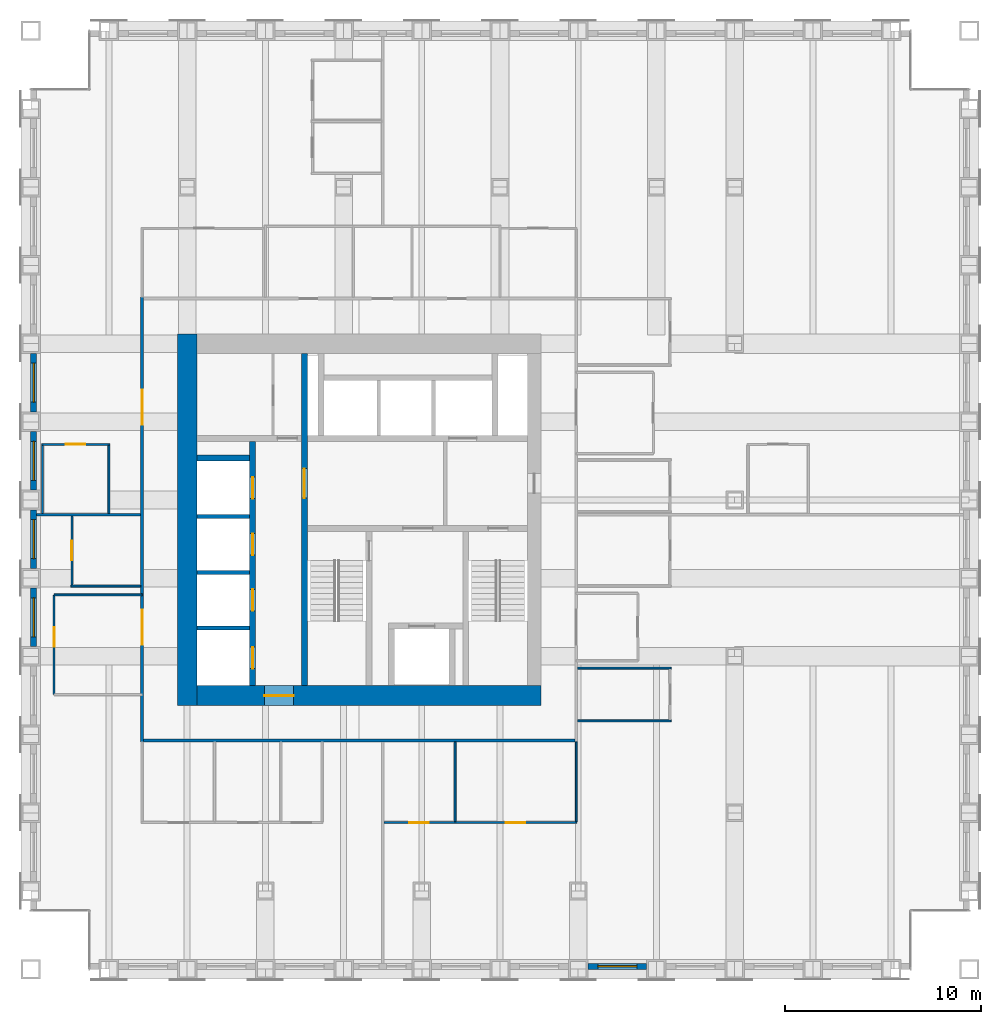
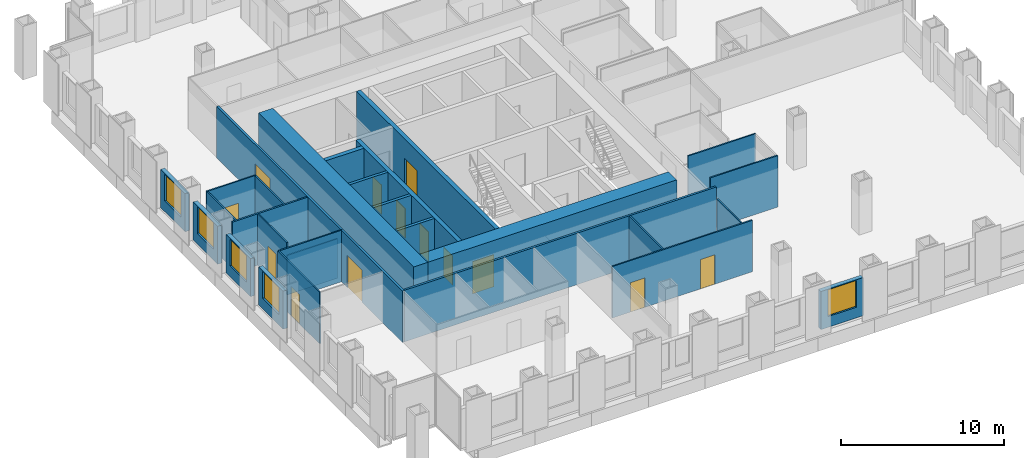
# One storey, part 11 of 16: 28 walls, 13 doors, 5 windows, 18 openings.
"""IFC4 building model written with IfcOpenShell, lengths in metres."""

from ifc_helpers import new_model, si_unit, direction, frame, frame_2d, origin, place, context, subcontext, project, spatial, rectangle, extrude, material, layer, layer_set, type_object, element, fill, save


model = new_model("IFC4")

# Units and contexts
model_context = context("Model", 3, precision=1e-05, world=origin(), true_north=direction((0.0, 1.0)))
body_context = subcontext(model_context, "Body", "Model", "MODEL_VIEW")
ifc_project = project(units=[si_unit("LENGTHUNIT", "METRE"), si_unit("AREAUNIT", "SQUARE_METRE"), si_unit("VOLUMEUNIT", "CUBIC_METRE"), si_unit("PLANEANGLEUNIT", "RADIAN"), si_unit("MASSUNIT", "GRAM", prefix="KILO")], contexts=[model_context])

# Site, building, storey
site_placement = place(None, origin())
site = spatial("IfcSite", under=ifc_project, at=site_placement, CompositionType="ELEMENT")
building_placement = place(site_placement, origin())
building = spatial("IfcBuilding", under=site, at=building_placement, Name="Rimbunsela Tower", CompositionType="ELEMENT")
storey_placement = place(building_placement, frame((0.0, 0.0, 125.39990234375)))
storey = spatial("IfcBuildingStorey", under=building, at=storey_placement, Name="L30", CompositionType="ELEMENT", Elevation=125.39990234375)

# Wall, opening, door
ifc_material_1 = material(Name="Concrete fc' 80 MPa", Category="concrete")
ifc_layer_1 = layer(ifc_material_1, 0.300048828125)
ifc_layer_set_1 = layer_set([ifc_layer_1], Name="Core internal wall 300")
wall_type_1 = type_object("IfcWallType", Name="Core internal wall 300", PredefinedType="SHEAR", material=ifc_layer_set_1)
wall_1_placement = place(storey_placement, frame((24.0, 18.5, -0.14990234375), z_axis=(0.0, 0.0, 1.0), x_axis=(0.0, 1.0, 0.0)))
wall_1 = element("IfcWall", 1, at=wall_1_placement, inside=storey, type_object=wall_type_1, Name="Core wall at stair A", PredefinedType="SHEAR", context=body_context, shape_type="SweptSolid", body=[
    extrude(rectangle(XDim=17.0, YDim=0.300048828125, at=frame_2d((8.5, 0.0))), origin(), (0.0, 0.0, 1.0), 4.0),
])
opening_1_placement = place(wall_1_placement, frame((9.60009765625, 0.0, 0.14990234375)))
opening_1 = element("IfcOpeningElement", 2, at=opening_1_placement, cuts=wall_1, Name="Opening D03", PredefinedType="OPENING", context=body_context, shape_type="SweptSolid", body=[
    extrude(rectangle(XDim=1.5, YDim=2.39990234375, at=frame_2d((0.75, 1.199951171875))), frame((0.0, 0.159912109375, 0.0), z_axis=(0.0, -1.0, 0.0), x_axis=(1.0, 0.0, 0.0)), (0.0, 0.0, 1.0), 0.320068359375),
])
ifc_material_2 = material(Name="Steel door, fire rated", Category="steel")
door_type_1 = type_object("IfcDoorType", Name="Core lobby door 1500", OperationType="DOUBLE_DOOR_DOUBLE_SWING", PredefinedType="DOOR", material=ifc_material_2)
door_1_placement = place(opening_1_placement, origin())
door_1 = element("IfcDoor", 3, at=door_1_placement, inside=storey, type_object=door_type_1, Name="West lobby door", OperationType="DOUBLE_DOOR_DOUBLE_SWING", OverallHeight=2.39990234375, OverallWidth=1.5, PredefinedType="DOOR", context=body_context, shape_type="SweptSolid", body=[
    extrude(rectangle(XDim=1.5, YDim=2.39990234375, at=frame_2d((0.75, 1.199951171875))), frame((0.0, 0.02490234375, 0.0), z_axis=(0.0, -1.0, 0.0), x_axis=(1.0, 0.0, 0.0)), (0.0, 0.0, 1.0), 0.050048828125),
])
fill(opening_1, door_1)

# Wall, openings, doors
wall_2_placement = place(storey_placement, frame((21.35009765625, 18.5, -0.14990234375), z_axis=(0.0, 0.0, 1.0), x_axis=(0.0, 1.0, 0.0)))
wall_2 = element("IfcWall", 4, at=wall_2_placement, inside=storey, type_object=wall_type_1, Name="Lift shaft front west", PredefinedType="SHEAR", context=body_context, shape_type="SweptSolid", body=[
    extrude(rectangle(XDim=12.5, YDim=0.300048828125, at=frame_2d((6.25, 0.0))), origin(), (0.0, 0.0, 1.0), 4.0),
])
opening_2_placement = place(wall_2_placement, frame((0.875, 0.0, 0.14990234375)))
opening_2 = element("IfcOpeningElement", 5, at=opening_2_placement, cuts=wall_2, Name="Opening LD1", PredefinedType="OPENING", context=body_context, shape_type="SweptSolid", body=[
    extrude(rectangle(XDim=1.10009765625, YDim=2.199951171875, at=frame_2d((0.550048828125, 1.10009765625))), frame((0.0, 0.159912109375, 0.0), z_axis=(0.0, -1.0, 0.0), x_axis=(1.0, 0.0, 0.0)), (0.0, 0.0, 1.0), 0.320068359375),
])
opening_3_placement = place(wall_2_placement, frame((3.824951171875, 0.0, 0.14990234375)))
opening_3 = element("IfcOpeningElement", 6, at=opening_3_placement, cuts=wall_2, Name="Opening LD1", PredefinedType="OPENING", context=body_context, shape_type="SweptSolid", body=[
    extrude(rectangle(XDim=1.10009765625, YDim=2.199951171875, at=frame_2d((0.550048828125, 1.10009765625))), frame((0.0, 0.159912109375, 0.0), z_axis=(0.0, -1.0, 0.0), x_axis=(1.0, 0.0, 0.0)), (0.0, 0.0, 1.0), 0.320068359375),
])
opening_4_placement = place(wall_2_placement, frame((6.675048828125, 0.0, 0.14990234375)))
opening_4 = element("IfcOpeningElement", 7, at=opening_4_placement, cuts=wall_2, Name="Opening LD1", PredefinedType="OPENING", context=body_context, shape_type="SweptSolid", body=[
    extrude(rectangle(XDim=1.10009765625, YDim=2.199951171875, at=frame_2d((0.550048828125, 1.10009765625))), frame((0.0, 0.159912109375, 0.0), z_axis=(0.0, -1.0, 0.0), x_axis=(1.0, 0.0, 0.0)), (0.0, 0.0, 1.0), 0.320068359375),
])
opening_5_placement = place(wall_2_placement, frame((9.574951171875, 0.0, 0.14990234375)))
opening_5 = element("IfcOpeningElement", 8, at=opening_5_placement, cuts=wall_2, Name="Opening LD1", PredefinedType="OPENING", context=body_context, shape_type="SweptSolid", body=[
    extrude(rectangle(XDim=1.10009765625, YDim=2.199951171875, at=frame_2d((0.550048828125, 1.10009765625))), frame((0.0, 0.159912109375, 0.0), z_axis=(0.0, -1.0, 0.0), x_axis=(1.0, 0.0, 0.0)), (0.0, 0.0, 1.0), 0.320068359375),
])
ifc_material_3 = material(Name="Steel door, fire rated", Category="steel")
door_type_2 = type_object("IfcDoorType", Name="Lift landing door 1100", OperationType="DOUBLE_DOOR_SLIDING", PredefinedType="DOOR", material=ifc_material_3)
door_2_placement = place(opening_2_placement, origin())
door_2 = element("IfcDoor", 9, at=door_2_placement, inside=storey, type_object=door_type_2, Name="Lift landing door ML1", OperationType="DOUBLE_DOOR_SLIDING", OverallHeight=2.199951171875, OverallWidth=1.10009765625, PredefinedType="DOOR", context=body_context, shape_type="SweptSolid", body=[
    extrude(rectangle(XDim=1.10009765625, YDim=2.199951171875, at=frame_2d((0.550048828125, 1.10009765625))), frame((0.0, 0.02490234375, 0.0), z_axis=(0.0, -1.0, 0.0), x_axis=(1.0, 0.0, 0.0)), (0.0, 0.0, 1.0), 0.050048828125),
])
fill(opening_2, door_2)
door_3_placement = place(opening_3_placement, origin())
door_3 = element("IfcDoor", 10, at=door_3_placement, inside=storey, type_object=door_type_2, Name="Lift landing door ML2", OperationType="DOUBLE_DOOR_SLIDING", OverallHeight=2.199951171875, OverallWidth=1.10009765625, PredefinedType="DOOR", context=body_context, shape_type="SweptSolid", body=[
    extrude(rectangle(XDim=1.10009765625, YDim=2.199951171875, at=frame_2d((0.550048828125, 1.10009765625))), frame((0.0, 0.02490234375, 0.0), z_axis=(0.0, -1.0, 0.0), x_axis=(1.0, 0.0, 0.0)), (0.0, 0.0, 1.0), 0.050048828125),
])
fill(opening_3, door_3)
door_4_placement = place(opening_4_placement, origin())
door_4 = element("IfcDoor", 11, at=door_4_placement, inside=storey, type_object=door_type_2, Name="Lift landing door ML3", OperationType="DOUBLE_DOOR_SLIDING", OverallHeight=2.199951171875, OverallWidth=1.10009765625, PredefinedType="DOOR", context=body_context, shape_type="SweptSolid", body=[
    extrude(rectangle(XDim=1.10009765625, YDim=2.199951171875, at=frame_2d((0.550048828125, 1.10009765625))), frame((0.0, 0.02490234375, 0.0), z_axis=(0.0, -1.0, 0.0), x_axis=(1.0, 0.0, 0.0)), (0.0, 0.0, 1.0), 0.050048828125),
])
fill(opening_4, door_4)
door_5_placement = place(opening_5_placement, origin())
door_5 = element("IfcDoor", 12, at=door_5_placement, inside=storey, type_object=door_type_2, Name="Lift landing door ML4", OperationType="DOUBLE_DOOR_SLIDING", OverallHeight=2.199951171875, OverallWidth=1.10009765625, PredefinedType="DOOR", context=body_context, shape_type="SweptSolid", body=[
    extrude(rectangle(XDim=1.10009765625, YDim=2.199951171875, at=frame_2d((0.550048828125, 1.10009765625))), frame((0.0, 0.02490234375, 0.0), z_axis=(0.0, -1.0, 0.0), x_axis=(1.0, 0.0, 0.0)), (0.0, 0.0, 1.0), 0.050048828125),
])
fill(opening_5, door_5)

# Walls
wall_3_placement = place(storey_placement, frame((18.5, 30.14990234375, -0.14990234375), z_axis=(0.0, 0.0, 1.0), x_axis=(1.0, 0.0, 0.0)))
element("IfcWall", 13, at=wall_3_placement, inside=storey, type_object=wall_type_1, Name="Lift shaft rear west", PredefinedType="SHEAR", context=body_context, shape_type="SweptSolid", body=[
    extrude(rectangle(XDim=2.699951171875, YDim=0.300048828125, at=frame_2d((1.35009765625, 0.0))), origin(), (0.0, 0.0, 1.0), 4.0),
])
ifc_material_4 = material(Name="Concrete fc' 80 MPa", Category="concrete")
ifc_layer_2 = layer(ifc_material_4, 1.0)
ifc_layer_set_2 = layer_set([ifc_layer_2], Name="Core wall 1000")
wall_type_2 = type_object("IfcWallType", Name="Core wall 1000", PredefinedType="SHEAR", material=ifc_layer_set_2)
wall_4_placement = place(storey_placement, frame((18.0, 17.5, -0.14990234375), z_axis=(0.0, 0.0, 1.0), x_axis=(0.0, 1.0, 0.0)))
element("IfcWall", 14, at=wall_4_placement, inside=storey, type_object=wall_type_2, Name="Core wall west", PredefinedType="SHEAR", context=body_context, shape_type="SweptSolid", body=[
    extrude(rectangle(XDim=19.0, YDim=1.0, at=frame_2d((9.5, 0.0))), origin(), (0.0, 0.0, 1.0), 4.0),
])

# Wall, opening, door
wall_5_placement = place(storey_placement, frame((18.5, 18.0, -0.14990234375), z_axis=(0.0, 0.0, 1.0), x_axis=(1.0, 0.0, 0.0)))
wall_5 = element("IfcWall", 15, at=wall_5_placement, inside=storey, type_object=wall_type_2, Name="Core wall south", PredefinedType="SHEAR", context=body_context, shape_type="SweptSolid", body=[
    extrude(rectangle(XDim=17.60009765625, YDim=1.0, at=frame_2d((8.800048828125, 0.0))), origin(), (0.0, 0.0, 1.0), 4.0),
])
opening_6_placement = place(wall_5_placement, frame((3.449951171875, 0.0, 0.14990234375)))
opening_6 = element("IfcOpeningElement", 16, at=opening_6_placement, cuts=wall_5, Name="Opening D03", PredefinedType="OPENING", context=body_context, shape_type="SweptSolid", body=[
    extrude(rectangle(XDim=1.5, YDim=2.39990234375, at=frame_2d((0.75, 1.199951171875))), frame((0.0, 0.510009765625, 0.0), z_axis=(0.0, -1.0, 0.0), x_axis=(1.0, 0.0, 0.0)), (0.0, 0.0, 1.0), 1.02001953125),
])
door_6_placement = place(opening_6_placement, origin())
door_6 = element("IfcDoor", 17, at=door_6_placement, inside=storey, type_object=door_type_1, Name="Core door south", OperationType="DOUBLE_DOOR_DOUBLE_SWING", OverallHeight=2.39990234375, OverallWidth=1.5, PredefinedType="DOOR", context=body_context, shape_type="SweptSolid", body=[
    extrude(rectangle(XDim=1.5, YDim=2.39990234375, at=frame_2d((0.75, 1.199951171875))), frame((0.0, 0.02490234375, 0.0), z_axis=(0.0, -1.0, 0.0), x_axis=(1.0, 0.0, 0.0)), (0.0, 0.0, 1.0), 0.050048828125),
])
fill(opening_6, door_6)

# Walls
ifc_material_5 = material(Name="Concrete blockwork", Category="masonry")
ifc_layer_3 = layer(ifc_material_5, 0.199951171875)
ifc_layer_set_3 = layer_set([ifc_layer_3], Name="Lift shaft wall 200")
wall_type_3 = type_object("IfcWallType", Name="Lift shaft wall 200", PredefinedType="SOLIDWALL", material=ifc_layer_set_3)
for number, where, z_axis, x_axis, name in (
    (18, (18.5, 21.449951171875, -0.14990234375), (0.0, 0.0, 1.0), (1.0, 0.0, 0.0), "Lift shaft separation"),
    (19, (18.5, 24.300048828125, -0.14990234375), (0.0, 0.0, 1.0), (1.0, 0.0, 0.0), "Lift shaft separation"),
    (20, (18.5, 27.14990234375, -0.14990234375), (0.0, 0.0, 1.0), (1.0, 0.0, 0.0), "Lift shaft separation"),
):
    element("IfcWall", number, at=place(storey_placement, frame(where, z_axis=z_axis, x_axis=x_axis)), inside=storey, type_object=wall_type_3, Name=name, PredefinedType="SOLIDWALL", context=body_context, shape_type="SweptSolid", body=[
        extrude(rectangle(XDim=2.699951171875, YDim=0.199951171875, at=frame_2d((1.35009765625, 0.0))), origin(), (0.0, 0.0, 1.0), 4.0),
    ])

# Wall, openings, doors
ifc_material_6 = material(Name="Gypsum board on steel studs", Category="steel")
ifc_layer_4 = layer(ifc_material_6, 0.10009765625)
ifc_layer_set_4 = layer_set([ifc_layer_4], Name="Office partition 100")
wall_type_4 = type_object("IfcWallType", Name="Office partition 100", PredefinedType="PARTITIONING", material=ifc_layer_set_4)
wall_6_placement = place(storey_placement, frame((28.06103515625, 11.5, 0.0), z_axis=(0.0, 0.0, 1.0), x_axis=(1.0, 0.0, 0.0)))
wall_6 = element("IfcWall", 21, at=wall_6_placement, inside=storey, type_object=wall_type_4, Name="Office partition", PredefinedType="PARTITIONING", context=body_context, shape_type="SweptSolid", body=[
    extrude(rectangle(XDim=9.888916015625, YDim=0.10009765625, at=frame_2d((4.9443359375, 0.0))), origin(), (0.0, 0.0, 1.0), 3.85009765625),
])
opening_7_placement = place(wall_6_placement, frame((1.2900390625, 0.0, 0.0)))
opening_7 = element("IfcOpeningElement", 22, at=opening_7_placement, cuts=wall_6, Name="Opening D17", PredefinedType="OPENING", context=body_context, shape_type="SweptSolid", body=[
    extrude(rectangle(XDim=1.0, YDim=2.199951171875, at=frame_2d((0.5, 1.10009765625))), frame((0.0, 0.06005859375, 0.0), z_axis=(0.0, -1.0, 0.0), x_axis=(1.0, 0.0, 0.0)), (0.0, 0.0, 1.0), 0.1201171875),
])
opening_8_placement = place(wall_6_placement, frame((6.239501953125, 0.0, 0.0)))
opening_8 = element("IfcOpeningElement", 23, at=opening_8_placement, cuts=wall_6, Name="Opening D16", PredefinedType="OPENING", context=body_context, shape_type="SweptSolid", body=[
    extrude(rectangle(XDim=1.0, YDim=2.199951171875, at=frame_2d((0.5, 1.10009765625))), frame((0.0, 0.06005859375, 0.0), z_axis=(0.0, -1.0, 0.0), x_axis=(1.0, 0.0, 0.0)), (0.0, 0.0, 1.0), 0.1201171875),
])
ifc_material_7 = material(Name="Glazed aluminium door", Category="aluminium")
door_type_3 = type_object("IfcDoorType", Name="Meeting room door 1000 glazed", OperationType="SINGLE_SWING_RIGHT", PredefinedType="DOOR", material=ifc_material_7)
door_7_placement = place(opening_7_placement, origin())
door_7 = element("IfcDoor", 24, at=door_7_placement, inside=storey, type_object=door_type_3, Name="Meeting room door", OperationType="SINGLE_SWING_RIGHT", OverallHeight=2.199951171875, OverallWidth=1.0, PredefinedType="DOOR", context=body_context, shape_type="SweptSolid", body=[
    extrude(rectangle(XDim=1.0, YDim=2.199951171875, at=frame_2d((0.5, 1.10009765625))), frame((0.0, 0.02490234375, 0.0), z_axis=(0.0, -1.0, 0.0), x_axis=(1.0, 0.0, 0.0)), (0.0, 0.0, 1.0), 0.050048828125),
])
fill(opening_7, door_7)
ifc_material_8 = material(Name="Timber door", Category="wood")
door_type_4 = type_object("IfcDoorType", Name="Office door 1000", OperationType="SINGLE_SWING_LEFT", PredefinedType="DOOR", material=ifc_material_8)
door_8_placement = place(opening_8_placement, origin())
door_8 = element("IfcDoor", 25, at=door_8_placement, inside=storey, type_object=door_type_4, Name="Office door", OperationType="SINGLE_SWING_LEFT", OverallHeight=2.199951171875, OverallWidth=1.0, PredefinedType="DOOR", context=body_context, shape_type="SweptSolid", body=[
    extrude(rectangle(XDim=1.0, YDim=2.199951171875, at=frame_2d((0.5, 1.10009765625))), frame((0.0, 0.02490234375, 0.0), z_axis=(0.0, -1.0, 0.0), x_axis=(1.0, 0.0, 0.0)), (0.0, 0.0, 1.0), 0.050048828125),
])
fill(opening_8, door_8)

# Walls
for number, where, z_axis, x_axis, name in (
    (26, (37.97509765625, 16.699951171875, 0.0), (0.0, 0.0, 1.0), (1.0, 0.0, 0.0), "Office partition"),
    (27, (37.97509765625, 19.39892578125, 0.0), (0.0, 0.0, 1.0), (1.0, 0.0, 0.0), "Office partition"),
):
    element("IfcWall", number, at=place(storey_placement, frame(where, z_axis=z_axis, x_axis=x_axis)), inside=storey, type_object=wall_type_4, Name=name, PredefinedType="PARTITIONING", context=body_context, shape_type="SweptSolid", body=[
        extrude(rectangle(XDim=4.77490234375, YDim=0.10009765625, at=frame_2d((2.387451171875, 0.0))), origin(), (0.0, 0.0, 1.0), 3.85009765625),
    ])
wall_7_placement = place(storey_placement, frame((12.050048828125, 23.59912109375, 0.0), z_axis=(0.0, 0.0, 1.0), x_axis=(1.0, 0.0, 0.0)))
element("IfcWall", 28, at=wall_7_placement, inside=storey, type_object=wall_type_4, Name="Office partition", PredefinedType="PARTITIONING", context=body_context, shape_type="SweptSolid", body=[
    extrude(rectangle(XDim=3.574951171875, YDim=0.10009765625, at=frame_2d((1.78759765625, 0.0))), origin(), (0.0, 0.0, 1.0), 2.9501953125),
])

# Wall, opening, door
wall_8_placement = place(storey_placement, frame((10.550048828125, 30.85009765625, 0.0), z_axis=(0.0, 0.0, 1.0), x_axis=(1.0, 0.0, 0.0)))
wall_8 = element("IfcWall", 29, at=wall_8_placement, inside=storey, type_object=wall_type_4, Name="Office partition", PredefinedType="PARTITIONING", context=body_context, shape_type="SweptSolid", body=[
    extrude(rectangle(XDim=3.5, YDim=0.10009765625, at=frame_2d((1.75, 0.0))), origin(), (0.0, 0.0, 1.0), 3.85009765625),
])
opening_9_placement = place(wall_8_placement, frame((1.25, 0.0, 0.0)))
opening_9 = element("IfcOpeningElement", 30, at=opening_9_placement, cuts=wall_8, Name="Opening D16", PredefinedType="OPENING", context=body_context, shape_type="SweptSolid", body=[
    extrude(rectangle(XDim=1.0, YDim=2.199951171875, at=frame_2d((0.5, 1.10009765625))), frame((0.0, 0.06005859375, 0.0), z_axis=(0.0, -1.0, 0.0), x_axis=(1.0, 0.0, 0.0)), (0.0, 0.0, 1.0), 0.1201171875),
])
door_9_placement = place(opening_9_placement, origin())
door_9 = element("IfcDoor", 31, at=door_9_placement, inside=storey, type_object=door_type_4, Name="Office door", OperationType="SINGLE_SWING_LEFT", OverallHeight=2.199951171875, OverallWidth=1.0, PredefinedType="DOOR", context=body_context, shape_type="SweptSolid", body=[
    extrude(rectangle(XDim=1.0, YDim=2.199951171875, at=frame_2d((0.5, 1.10009765625))), frame((0.0, 0.02490234375, 0.0), z_axis=(0.0, -1.0, 0.0), x_axis=(1.0, 0.0, 0.0)), (0.0, 0.0, 1.0), 0.050048828125),
])
fill(opening_9, door_9)

# Wall
wall_9_placement = place(storey_placement, frame((10.60009765625, 27.31005859375, 0.0), z_axis=(0.0, 0.0, 1.0), x_axis=(0.0, 1.0, 0.0)))
element("IfcWall", 32, at=wall_9_placement, inside=storey, type_object=wall_type_4, Name="Office partition", PredefinedType="PARTITIONING", context=body_context, shape_type="SweptSolid", body=[
    extrude(rectangle(XDim=3.489990234375, YDim=0.10009765625, at=frame_2d((1.7451171875, 0.0))), origin(), (0.0, 0.0, 1.0), 3.85009765625),
])

# Wall, opening, door
wall_10_placement = place(storey_placement, frame((12.10009765625, 23.64892578125, 0.0), z_axis=(0.0, 0.0, 1.0), x_axis=(0.0, 1.0, 0.0)))
wall_10 = element("IfcWall", 33, at=wall_10_placement, inside=storey, type_object=wall_type_4, Name="Office partition", PredefinedType="PARTITIONING", context=body_context, shape_type="SweptSolid", body=[
    extrude(rectangle(XDim=3.5400390625, YDim=0.10009765625, at=frame_2d((1.77001953125, 0.0))), origin(), (0.0, 0.0, 1.0), 3.85009765625),
])
opening_10_placement = place(wall_10_placement, frame((1.27490234375, 0.0, 0.0)))
opening_10 = element("IfcOpeningElement", 34, at=opening_10_placement, cuts=wall_10, Name="Opening D16", PredefinedType="OPENING", context=body_context, shape_type="SweptSolid", body=[
    extrude(rectangle(XDim=1.0, YDim=2.199951171875, at=frame_2d((0.5, 1.10009765625))), frame((0.0, 0.06005859375, 0.0), z_axis=(0.0, -1.0, 0.0), x_axis=(1.0, 0.0, 0.0)), (0.0, 0.0, 1.0), 0.1201171875),
])
door_10_placement = place(opening_10_placement, origin())
door_10 = element("IfcDoor", 35, at=door_10_placement, inside=storey, type_object=door_type_4, Name="Office door", OperationType="SINGLE_SWING_LEFT", OverallHeight=2.199951171875, OverallWidth=1.0, PredefinedType="DOOR", context=body_context, shape_type="SweptSolid", body=[
    extrude(rectangle(XDim=1.0, YDim=2.199951171875, at=frame_2d((0.5, 1.10009765625))), frame((0.0, 0.02490234375, 0.0), z_axis=(0.0, -1.0, 0.0), x_axis=(1.0, 0.0, 0.0)), (0.0, 0.0, 1.0), 0.050048828125),
])
fill(opening_10, door_10)

# Walls
wall_11_placement = place(storey_placement, frame((14.0, 27.31005859375, 0.0), z_axis=(0.0, 0.0, 1.0), x_axis=(0.0, 1.0, 0.0)))
element("IfcWall", 36, at=wall_11_placement, inside=storey, type_object=wall_type_4, Name="Office partition", PredefinedType="PARTITIONING", context=body_context, shape_type="SweptSolid", body=[
    extrude(rectangle(XDim=3.489990234375, YDim=0.10009765625, at=frame_2d((1.7451171875, 0.0))), origin(), (0.0, 0.0, 1.0), 3.85009765625),
])
wall_12_placement = place(storey_placement, frame((31.700927734375, 11.550048828125, 0.0), z_axis=(0.0, 0.0, 1.0), x_axis=(0.0, 1.0, 0.0)))
element("IfcWall", 37, at=wall_12_placement, inside=storey, type_object=wall_type_4, Name="Office partition", PredefinedType="PARTITIONING", context=body_context, shape_type="SweptSolid", body=[
    extrude(rectangle(XDim=4.074951171875, YDim=0.10009765625, at=frame_2d((2.03759765625, 0.0))), origin(), (0.0, 0.0, 1.0), 3.85009765625),
])
wall_13_placement = place(storey_placement, frame((37.89990234375, 11.550048828125, 0.0), z_axis=(0.0, 0.0, 1.0), x_axis=(0.0, 1.0, 0.0)))
element("IfcWall", 38, at=wall_13_placement, inside=storey, type_object=wall_type_4, Name="Office partition", PredefinedType="PARTITIONING", context=body_context, shape_type="SweptSolid", body=[
    extrude(rectangle(XDim=4.074951171875, YDim=0.10009765625, at=frame_2d((2.03759765625, 0.0))), origin(), (0.0, 0.0, 1.0), 2.9501953125),
])
wall_14_placement = place(storey_placement, frame((15.699951171875, 23.14892578125, 0.0), z_axis=(0.0, 0.0, 1.0), x_axis=(-1.0, 0.0, 0.0)))
element("IfcWall", 39, at=wall_14_placement, inside=storey, type_object=wall_type_4, Name="Office partition", PredefinedType="PARTITIONING", context=body_context, shape_type="SweptSolid", body=[
    extrude(rectangle(XDim=4.5, YDim=0.10009765625, at=frame_2d((2.25, 0.0))), origin(), (0.0, 0.0, 1.0), 3.85009765625),
])

# Wall, opening, door
wall_15_placement = place(storey_placement, frame((11.199951171875, 23.14892578125, 0.0), z_axis=(0.0, 0.0, 1.0), x_axis=(0.0, -1.0, 0.0)))
wall_15 = element("IfcWall", 40, at=wall_15_placement, inside=storey, type_object=wall_type_4, Name="Office partition", PredefinedType="PARTITIONING", context=body_context, shape_type="SweptSolid", body=[
    extrude(rectangle(XDim=5.099853515625, YDim=0.10009765625, at=frame_2d((2.5498046875, 0.0))), origin(), (0.0, 0.0, 1.0), 3.85009765625),
])
opening_11_placement = place(wall_15_placement, frame((1.64990234375, 0.0, 0.0)))
opening_11 = element("IfcOpeningElement", 41, at=opening_11_placement, cuts=wall_15, Name="Opening D17", PredefinedType="OPENING", context=body_context, shape_type="SweptSolid", body=[
    extrude(rectangle(XDim=1.0, YDim=2.199951171875, at=frame_2d((0.5, 1.10009765625))), frame((0.0, 0.06005859375, 0.0), z_axis=(0.0, -1.0, 0.0), x_axis=(1.0, 0.0, 0.0)), (0.0, 0.0, 1.0), 0.1201171875),
])
door_11_placement = place(opening_11_placement, origin())
door_11 = element("IfcDoor", 42, at=door_11_placement, inside=storey, type_object=door_type_3, Name="Reception door", OperationType="SINGLE_SWING_RIGHT", OverallHeight=2.199951171875, OverallWidth=1.0, PredefinedType="DOOR", context=body_context, shape_type="SweptSolid", body=[
    extrude(rectangle(XDim=1.0, YDim=2.199951171875, at=frame_2d((0.5, 1.10009765625))), frame((0.0, 0.02490234375, 0.0), z_axis=(0.0, -1.0, 0.0), x_axis=(1.0, 0.0, 0.0)), (0.0, 0.0, 1.0), 0.050048828125),
])
fill(opening_11, door_11)

# Wall, opening, window
ifc_material_9 = material(Name="Precast concrete fc' 35 MPa", Category="concrete")
ifc_layer_5 = layer(ifc_material_9, 0.300048828125)
ifc_layer_set_5 = layer_set([ifc_layer_5], Name="Precast concrete fc' 35 MPa")
wall_type_5 = type_object("IfcWallType", Name="Precast facade panel 300", PredefinedType="ELEMENTEDWALL", material=ifc_layer_set_5)
wall_16_placement = place(storey_placement, frame((38.5, 4.14990234375, 0.0), z_axis=(0.0, 0.0, 1.0), x_axis=(1.0, 0.0, 0.0)))
wall_16 = element("IfcWall", 43, at=wall_16_placement, inside=storey, type_object=wall_type_5, Name="Facade panel S L30", PredefinedType="ELEMENTEDWALL", context=body_context, shape_type="SweptSolid", body=[
    extrude(rectangle(XDim=3.0, YDim=0.300048828125, at=frame_2d((1.5, 0.0))), origin(), (0.0, 0.0, 1.0), 2.85009765625),
])
opening_12_placement = place(wall_16_placement, frame((0.5, 0.0, 0.800048828125)))
opening_12 = element("IfcOpeningElement", 44, at=opening_12_placement, cuts=wall_16, Name="Opening W1", PredefinedType="OPENING", context=body_context, shape_type="SweptSolid", body=[
    extrude(rectangle(XDim=2.0, YDim=2.0, at=frame_2d((1.0, 1.0))), frame((0.0, 0.159912109375, 0.0), z_axis=(0.0, -1.0, 0.0), x_axis=(1.0, 0.0, 0.0)), (0.0, 0.0, 1.0), 0.320068359375),
])
ifc_material_10 = material(Name="Clear glass in aluminium frame", Category="aluminium")
window_type = type_object("IfcWindowType", Name="Window W1 2000x2000", PartitioningType="DOUBLE_PANEL_VERTICAL", PredefinedType="WINDOW", material=ifc_material_10)
window_1_placement = place(opening_12_placement, origin())
window_1 = element("IfcWindow", 45, at=window_1_placement, inside=storey, type_object=window_type, Name="Window L30", OverallHeight=2.0, OverallWidth=2.0, PartitioningType="SINGLE_PANEL", PredefinedType="WINDOW", context=body_context, shape_type="SweptSolid", body=[
    extrude(rectangle(XDim=2.0, YDim=2.0, at=frame_2d((1.0, 1.0))), frame((0.0, 0.030029296875, 0.0), z_axis=(0.0, -1.0, 0.0), x_axis=(1.0, 0.0, 0.0)), (0.0, 0.0, 1.0), 0.06005859375),
])
fill(opening_12, window_1)

wall_17_placement = place(storey_placement, frame((10.14990234375, 23.5, 0.0), z_axis=(0.0, 0.0, 1.0), x_axis=(0.0, -1.0, 0.0)))
wall_17 = element("IfcWall", 46, at=wall_17_placement, inside=storey, type_object=wall_type_5, Name="Facade panel W L30", PredefinedType="ELEMENTEDWALL", context=body_context, shape_type="SweptSolid", body=[
    extrude(rectangle(XDim=3.0, YDim=0.300048828125, at=frame_2d((1.5, 0.0))), origin(), (0.0, 0.0, 1.0), 2.85009765625),
])
opening_13_placement = place(wall_17_placement, frame((0.5, 0.0, 0.800048828125)))
opening_13 = element("IfcOpeningElement", 47, at=opening_13_placement, cuts=wall_17, Name="Opening W1", PredefinedType="OPENING", context=body_context, shape_type="SweptSolid", body=[
    extrude(rectangle(XDim=2.0, YDim=2.0, at=frame_2d((1.0, 1.0))), frame((0.0, 0.159912109375, 0.0), z_axis=(0.0, -1.0, 0.0), x_axis=(1.0, 0.0, 0.0)), (0.0, 0.0, 1.0), 0.320068359375),
])
window_2_placement = place(opening_13_placement, origin())
window_2 = element("IfcWindow", 48, at=window_2_placement, inside=storey, type_object=window_type, Name="Window L30", OverallHeight=2.0, OverallWidth=2.0, PartitioningType="SINGLE_PANEL", PredefinedType="WINDOW", context=body_context, shape_type="SweptSolid", body=[
    extrude(rectangle(XDim=2.0, YDim=2.0, at=frame_2d((1.0, 1.0))), frame((0.0, 0.030029296875, 0.0), z_axis=(0.0, -1.0, 0.0), x_axis=(1.0, 0.0, 0.0)), (0.0, 0.0, 1.0), 0.06005859375),
])
fill(opening_13, window_2)

wall_18_placement = place(storey_placement, frame((10.14990234375, 27.5, 0.0), z_axis=(0.0, 0.0, 1.0), x_axis=(0.0, -1.0, 0.0)))
wall_18 = element("IfcWall", 49, at=wall_18_placement, inside=storey, type_object=wall_type_5, Name="Facade panel W L30", PredefinedType="ELEMENTEDWALL", context=body_context, shape_type="SweptSolid", body=[
    extrude(rectangle(XDim=3.0, YDim=0.300048828125, at=frame_2d((1.5, 0.0))), origin(), (0.0, 0.0, 1.0), 2.85009765625),
])
opening_14_placement = place(wall_18_placement, frame((0.5, 0.0, 0.800048828125)))
opening_14 = element("IfcOpeningElement", 50, at=opening_14_placement, cuts=wall_18, Name="Opening W1", PredefinedType="OPENING", context=body_context, shape_type="SweptSolid", body=[
    extrude(rectangle(XDim=2.0, YDim=2.0, at=frame_2d((1.0, 1.0))), frame((0.0, 0.159912109375, 0.0), z_axis=(0.0, -1.0, 0.0), x_axis=(1.0, 0.0, 0.0)), (0.0, 0.0, 1.0), 0.320068359375),
])
window_3_placement = place(opening_14_placement, origin())
window_3 = element("IfcWindow", 51, at=window_3_placement, inside=storey, type_object=window_type, Name="Window L30", OverallHeight=2.0, OverallWidth=2.0, PartitioningType="SINGLE_PANEL", PredefinedType="WINDOW", context=body_context, shape_type="SweptSolid", body=[
    extrude(rectangle(XDim=2.0, YDim=2.0, at=frame_2d((1.0, 1.0))), frame((0.0, 0.030029296875, 0.0), z_axis=(0.0, -1.0, 0.0), x_axis=(1.0, 0.0, 0.0)), (0.0, 0.0, 1.0), 0.06005859375),
])
fill(opening_14, window_3)

wall_19_placement = place(storey_placement, frame((10.14990234375, 31.5, 0.0), z_axis=(0.0, 0.0, 1.0), x_axis=(0.0, -1.0, 0.0)))
wall_19 = element("IfcWall", 52, at=wall_19_placement, inside=storey, type_object=wall_type_5, Name="Facade panel W L30", PredefinedType="ELEMENTEDWALL", context=body_context, shape_type="SweptSolid", body=[
    extrude(rectangle(XDim=3.0, YDim=0.300048828125, at=frame_2d((1.5, 0.0))), origin(), (0.0, 0.0, 1.0), 2.85009765625),
])
opening_15_placement = place(wall_19_placement, frame((0.5, 0.0, 0.800048828125)))
opening_15 = element("IfcOpeningElement", 53, at=opening_15_placement, cuts=wall_19, Name="Opening W1", PredefinedType="OPENING", context=body_context, shape_type="SweptSolid", body=[
    extrude(rectangle(XDim=2.0, YDim=2.0, at=frame_2d((1.0, 1.0))), frame((0.0, 0.159912109375, 0.0), z_axis=(0.0, -1.0, 0.0), x_axis=(1.0, 0.0, 0.0)), (0.0, 0.0, 1.0), 0.320068359375),
])
window_4_placement = place(opening_15_placement, origin())
window_4 = element("IfcWindow", 54, at=window_4_placement, inside=storey, type_object=window_type, Name="Window L30", OverallHeight=2.0, OverallWidth=2.0, PartitioningType="SINGLE_PANEL", PredefinedType="WINDOW", context=body_context, shape_type="SweptSolid", body=[
    extrude(rectangle(XDim=2.0, YDim=2.0, at=frame_2d((1.0, 1.0))), frame((0.0, 0.030029296875, 0.0), z_axis=(0.0, -1.0, 0.0), x_axis=(1.0, 0.0, 0.0)), (0.0, 0.0, 1.0), 0.06005859375),
])
fill(opening_15, window_4)

wall_20_placement = place(storey_placement, frame((10.14990234375, 35.5, 0.0), z_axis=(0.0, 0.0, 1.0), x_axis=(0.0, -1.0, 0.0)))
wall_20 = element("IfcWall", 55, at=wall_20_placement, inside=storey, type_object=wall_type_5, Name="Facade panel W L30", PredefinedType="ELEMENTEDWALL", context=body_context, shape_type="SweptSolid", body=[
    extrude(rectangle(XDim=3.0, YDim=0.300048828125, at=frame_2d((1.5, 0.0))), origin(), (0.0, 0.0, 1.0), 2.85009765625),
])
opening_16_placement = place(wall_20_placement, frame((0.5, 0.0, 0.800048828125)))
opening_16 = element("IfcOpeningElement", 56, at=opening_16_placement, cuts=wall_20, Name="Opening W1", PredefinedType="OPENING", context=body_context, shape_type="SweptSolid", body=[
    extrude(rectangle(XDim=2.0, YDim=2.0, at=frame_2d((1.0, 1.0))), frame((0.0, 0.159912109375, 0.0), z_axis=(0.0, -1.0, 0.0), x_axis=(1.0, 0.0, 0.0)), (0.0, 0.0, 1.0), 0.320068359375),
])
window_5_placement = place(opening_16_placement, origin())
window_5 = element("IfcWindow", 57, at=window_5_placement, inside=storey, type_object=window_type, Name="Window L30", OverallHeight=2.0, OverallWidth=2.0, PartitioningType="SINGLE_PANEL", PredefinedType="WINDOW", context=body_context, shape_type="SweptSolid", body=[
    extrude(rectangle(XDim=2.0, YDim=2.0, at=frame_2d((1.0, 1.0))), frame((0.0, 0.030029296875, 0.0), z_axis=(0.0, -1.0, 0.0), x_axis=(1.0, 0.0, 0.0)), (0.0, 0.0, 1.0), 0.06005859375),
])
fill(opening_16, window_5)

# Wall, openings, doors
ifc_material_11 = material(Name="Fire-rated gypsum board on steel studs, EI 60", Category="steel")
ifc_layer_6 = layer(ifc_material_11, 0.14990234375)
ifc_layer_set_6 = layer_set([ifc_layer_6], Name="Rated corridor wall 150")
wall_type_6 = type_object("IfcWallType", Name="Rated corridor wall 150", PredefinedType="PARTITIONING", material=ifc_layer_set_6)
wall_21_placement = place(storey_placement, frame((15.699951171875, 15.625, 0.0), z_axis=(0.0, 0.0, 1.0), x_axis=(0.0, 1.0, 0.0)))
wall_21 = element("IfcWall", 58, at=wall_21_placement, inside=storey, type_object=wall_type_6, Name="Corridor wall west", PredefinedType="PARTITIONING", context=body_context, shape_type="SweptSolid", body=[
    extrude(rectangle(XDim=22.75, YDim=0.14990234375, at=frame_2d((11.375, 0.0))), origin(), (0.0, 0.0, 1.0), 3.85009765625),
])
opening_17_placement = place(wall_21_placement, frame((4.97412109375, 0.0, 0.0)))
opening_17 = element("IfcOpeningElement", 59, at=opening_17_placement, cuts=wall_21, Name="Opening D09", PredefinedType="OPENING", context=body_context, shape_type="SweptSolid", body=[
    extrude(rectangle(XDim=1.800048828125, YDim=2.39990234375, at=frame_2d((0.89990234375, 1.199951171875))), frame((0.0, 0.0849609375, 0.0), z_axis=(0.0, -1.0, 0.0), x_axis=(1.0, 0.0, 0.0)), (0.0, 0.0, 1.0), 0.169921875),
])
opening_18_placement = place(wall_21_placement, frame((16.22607421875, 0.0, 0.0)))
opening_18 = element("IfcOpeningElement", 60, at=opening_18_placement, cuts=wall_21, Name="Opening D09", PredefinedType="OPENING", context=body_context, shape_type="SweptSolid", body=[
    extrude(rectangle(XDim=1.800048828125, YDim=2.39990234375, at=frame_2d((0.89990234375, 1.199951171875))), frame((0.0, 0.0849609375, 0.0), z_axis=(0.0, -1.0, 0.0), x_axis=(1.0, 0.0, 0.0)), (0.0, 0.0, 1.0), 0.169921875),
])
ifc_material_12 = material(Name="Glazed aluminium door, fire rated", Category="aluminium")
door_type_5 = type_object("IfcDoorType", Name="Tenancy door 1800 glazed", OperationType="DOUBLE_DOOR_DOUBLE_SWING", PredefinedType="DOOR", material=ifc_material_12)
door_12_placement = place(opening_17_placement, origin())
door_12 = element("IfcDoor", 61, at=door_12_placement, inside=storey, type_object=door_type_5, Name="Tenancy door", OperationType="DOUBLE_DOOR_DOUBLE_SWING", OverallHeight=2.39990234375, OverallWidth=1.800048828125, PredefinedType="DOOR", context=body_context, shape_type="SweptSolid", body=[
    extrude(rectangle(XDim=1.800048828125, YDim=2.39990234375, at=frame_2d((0.89990234375, 1.199951171875))), frame((0.0, 0.02490234375, 0.0), z_axis=(0.0, -1.0, 0.0), x_axis=(1.0, 0.0, 0.0)), (0.0, 0.0, 1.0), 0.050048828125),
])
fill(opening_17, door_12)
door_13_placement = place(opening_18_placement, origin())
door_13 = element("IfcDoor", 62, at=door_13_placement, inside=storey, type_object=door_type_5, Name="Tenancy door", OperationType="DOUBLE_DOOR_DOUBLE_SWING", OverallHeight=2.39990234375, OverallWidth=1.800048828125, PredefinedType="DOOR", context=body_context, shape_type="SweptSolid", body=[
    extrude(rectangle(XDim=1.800048828125, YDim=2.39990234375, at=frame_2d((0.89990234375, 1.199951171875))), frame((0.0, 0.02490234375, 0.0), z_axis=(0.0, -1.0, 0.0), x_axis=(1.0, 0.0, 0.0)), (0.0, 0.0, 1.0), 0.050048828125),
])
fill(opening_18, door_13)

# Walls
wall_22_placement = place(storey_placement, frame((15.77490234375, 15.699951171875, 0.0), z_axis=(0.0, 0.0, 1.0), x_axis=(1.0, 0.0, 0.0)))
element("IfcWall", 63, at=wall_22_placement, inside=storey, type_object=wall_type_6, Name="Corridor wall south", PredefinedType="PARTITIONING", context=body_context, shape_type="SweptSolid", body=[
    extrude(rectangle(XDim=22.050048828125, YDim=0.14990234375, at=frame_2d((11.02490234375, 0.0))), origin(), (0.0, 0.0, 1.0), 3.85009765625),
])
ifc_material_13 = material(Name="Gypsum board on steel studs", Category="steel")
ifc_layer_7 = layer(ifc_material_13, 0.1201171875)
ifc_layer_set_7 = layer_set([ifc_layer_7], Name="Tenancy partition 120")
wall_type_7 = type_object("IfcWallType", Name="Tenancy partition 120", PredefinedType="PARTITIONING", material=ifc_layer_set_7)
wall_23_placement = place(storey_placement, frame((10.300048828125, 27.25, 0.0), z_axis=(0.0, 0.0, 1.0), x_axis=(1.0, 0.0, 0.0)))
element("IfcWall", 64, at=wall_23_placement, inside=storey, type_object=wall_type_7, Name="Tenancy partition", PredefinedType="PARTITIONING", context=body_context, shape_type="SweptSolid", body=[
    extrude(rectangle(XDim=5.324951171875, YDim=0.1201171875, at=frame_2d((2.66259765625, 0.0))), origin(), (0.0, 0.0, 1.0), 3.85009765625),
])

save(model, "model.ifc")
